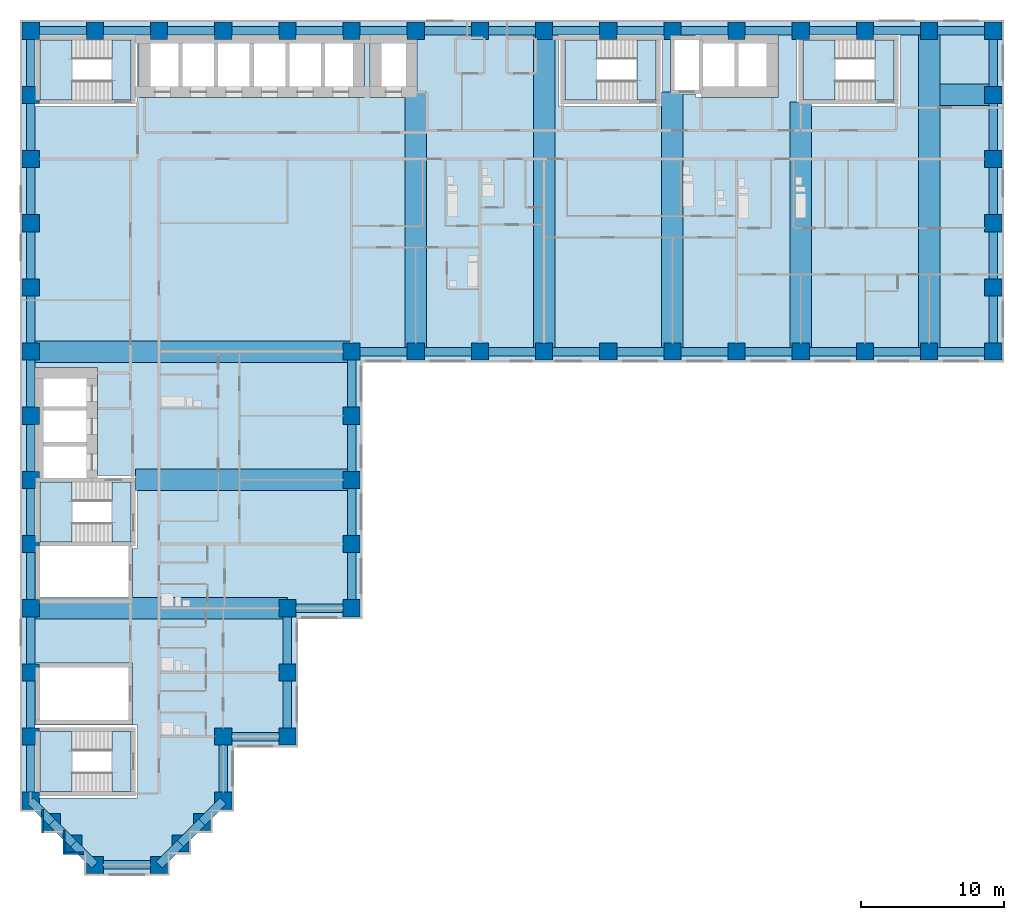
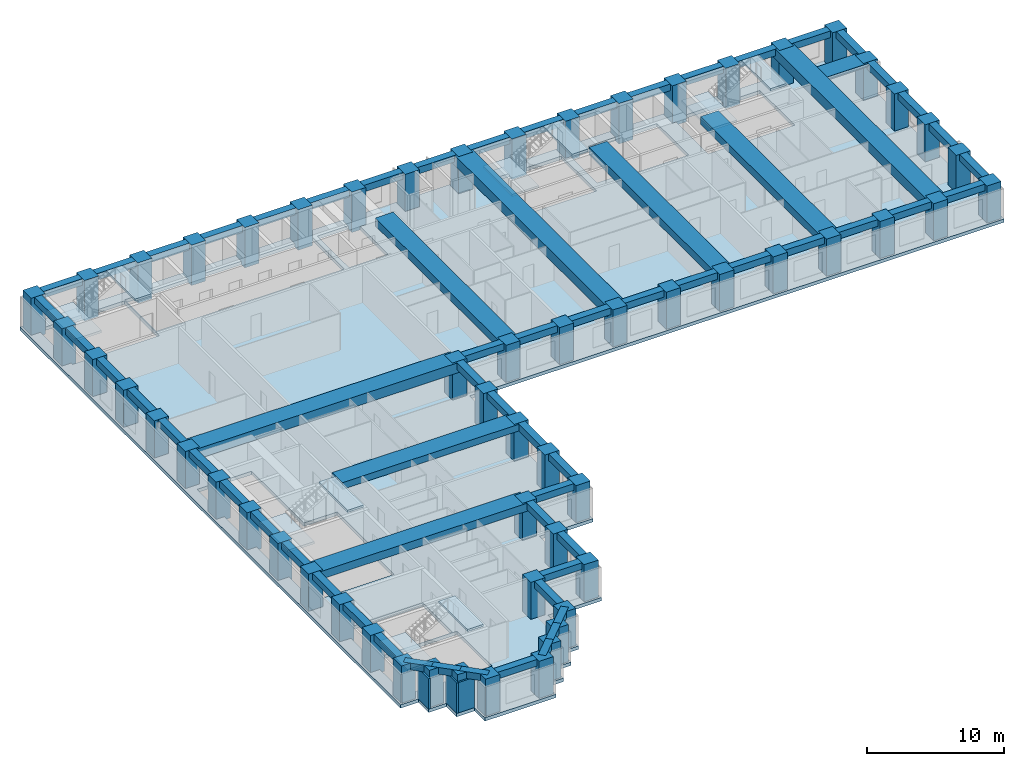
# One storey, part 1 of 11: 67 beams, 58 columns, 11 slabs, 3 walls, 5 elements without a shape of their own.
"""IFC4 building model written with IfcOpenShell, lengths in metres."""

from ifc_helpers import new_model, si_unit, direction, frame, frame_2d, origin, origin_2d, place, context, subcontext, project, spatial, polyline, rectangle, outline, extrude, material, layer, layer_set, material_profile, profile_set, type_object, element, aggregate, save


model = new_model("IFC4")

# Units and contexts
model_context = context("Model", 3, precision=1e-05, world=origin(), true_north=direction((0.0, 1.0)))
body_context = subcontext(model_context, "Body", "Model", "MODEL_VIEW")
ifc_project = project(units=[si_unit("LENGTHUNIT", "METRE"), si_unit("AREAUNIT", "SQUARE_METRE"), si_unit("VOLUMEUNIT", "CUBIC_METRE"), si_unit("PLANEANGLEUNIT", "RADIAN"), si_unit("MASSUNIT", "GRAM", prefix="KILO")], contexts=[model_context])

# Site, building, storey
site_placement = place(None, origin())
site = spatial("IfcSite", under=ifc_project, at=site_placement, CompositionType="ELEMENT")
building_placement = place(site_placement, origin())
building = spatial("IfcBuilding", under=site, at=building_placement, Name="Firuza Court", CompositionType="ELEMENT")
storey_placement = place(building_placement, frame((0.0, 0.0, 75.800048828125)))
storey = spatial("IfcBuildingStorey", under=building, at=storey_placement, Name="L18", CompositionType="ELEMENT", Elevation=75.800048828125)

# Columns
ifc_material_1 = material(Name="Concrete C70/85", Category="concrete")
ifc_material_profile_1 = material_profile(ifc_material_1, rectangle(XDim=1.199951171875, YDim=1.199951171875, at=origin_2d()), Name="RC 1200x1200")
ifc_profile_set_1 = profile_set([ifc_material_profile_1], Name="Concrete C70/85")
column_type = type_object("IfcColumnType", Name="Tube column RC 1200x1200 C70/85", PredefinedType="COLUMN", material=ifc_profile_set_1)
for number, where, z_axis, x_axis, name in (
    (1, (4.5, 0.0, -0.300048828125), (0.0, 0.0, 1.0), (1.0, 0.0, 0.0), "Column C-2D L18"),
    (2, (9.0, 0.0, -0.300048828125), (0.0, 0.0, 1.0), (1.0, 0.0, 0.0), "Column C-3D L18"),
    (3, (3.0, 1.5, -0.300048828125), (0.0, 0.0, 1.0), (1.0, 0.0, 0.0), "Column C-SA1 L18"),
    (4, (10.5, 1.5, -0.300048828125), (0.0, 0.0, 1.0), (1.0, 0.0, 0.0), "Column C-SA2 L18"),
    (5, (1.5, 3.0, -0.300048828125), (0.0, 0.0, 1.0), (1.0, 0.0, 0.0), "Column C-SA3 L18"),
    (6, (12.0, 3.0, -0.300048828125), (0.0, 0.0, 1.0), (1.0, 0.0, 0.0), "Column C-SA4 L18"),
    (7, (0.0, 4.5, -0.300048828125), (0.0, 0.0, 1.0), (1.0, 0.0, 0.0), "Column C-1E L18"),
    (8, (13.5, 4.5, -0.300048828125), (0.0, 0.0, 1.0), (1.0, 0.0, 0.0), "Column C-4E L18"),
    (9, (0.0, 9.0, -0.300048828125), (0.0, 0.0, 1.0), (1.0, 0.0, 0.0), "Column C-1F L18"),
    (10, (13.5, 9.0, -0.300048828125), (0.0, 0.0, 1.0), (1.0, 0.0, 0.0), "Column C-4F L18"),
    (11, (18.0, 9.0, -0.300048828125), (0.0, 0.0, 1.0), (1.0, 0.0, 0.0), "Column C-5F L18"),
    (12, (0.0, 13.5, -0.300048828125), (0.0, 0.0, 1.0), (1.0, 0.0, 0.0), "Column C-1G L18"),
    (13, (18.0, 13.5, -0.300048828125), (0.0, 0.0, 1.0), (1.0, 0.0, 0.0), "Column C-5G L18"),
    (14, (0.0, 18.0, -0.300048828125), (0.0, 0.0, 1.0), (1.0, 0.0, 0.0), "Column C-1H L18"),
    (15, (18.0, 18.0, -0.300048828125), (0.0, 0.0, 1.0), (1.0, 0.0, 0.0), "Column C-5H L18"),
    (16, (22.5, 18.0, -0.300048828125), (0.0, 0.0, 1.0), (1.0, 0.0, 0.0), "Column C-6H L18"),
    (17, (0.0, 22.5, -0.300048828125), (0.0, 0.0, 1.0), (1.0, 0.0, 0.0), "Column C-1J L18"),
    (18, (22.5, 22.5, -0.300048828125), (0.0, 0.0, 1.0), (1.0, 0.0, 0.0), "Column C-6J L18"),
    (19, (0.0, 27.0, -0.300048828125), (0.0, 0.0, 1.0), (1.0, 0.0, 0.0), "Column C-1K L18"),
    (20, (22.5, 27.0, -0.300048828125), (0.0, 0.0, 1.0), (1.0, 0.0, 0.0), "Column C-6K L18"),
    (21, (0.0, 31.5, -0.300048828125), (0.0, 0.0, 1.0), (1.0, 0.0, 0.0), "Column C-1L L18"),
    (22, (22.5, 31.5, -0.300048828125), (0.0, 0.0, 1.0), (1.0, 0.0, 0.0), "Column C-6L L18"),
    (23, (0.0, 36.0, -0.300048828125), (0.0, 0.0, 1.0), (1.0, 0.0, 0.0), "Column C-1M L18"),
    (24, (22.5, 36.0, -0.300048828125), (0.0, 0.0, 1.0), (1.0, 0.0, 0.0), "Column C-6M L18"),
    (25, (27.0, 36.0, -0.300048828125), (0.0, 0.0, 1.0), (1.0, 0.0, 0.0), "Column C-7M L18"),
    (26, (31.5, 36.0, -0.300048828125), (0.0, 0.0, 1.0), (1.0, 0.0, 0.0), "Column C-8M L18"),
    (27, (36.0, 36.0, -0.300048828125), (0.0, 0.0, 1.0), (1.0, 0.0, 0.0), "Column C-9M L18"),
    (28, (40.5, 36.0, -0.300048828125), (0.0, 0.0, 1.0), (1.0, 0.0, 0.0), "Column C-10M L18"),
    (29, (45.0, 36.0, -0.300048828125), (0.0, 0.0, 1.0), (1.0, 0.0, 0.0), "Column C-11M L18"),
    (30, (49.5, 36.0, -0.300048828125), (0.0, 0.0, 1.0), (1.0, 0.0, 0.0), "Column C-12M L18"),
    (31, (54.0, 36.0, -0.300048828125), (0.0, 0.0, 1.0), (1.0, 0.0, 0.0), "Column C-13M L18"),
    (32, (58.5, 36.0, -0.300048828125), (0.0, 0.0, 1.0), (1.0, 0.0, 0.0), "Column C-14M L18"),
    (33, (63.0, 36.0, -0.300048828125), (0.0, 0.0, 1.0), (1.0, 0.0, 0.0), "Column C-15M L18"),
    (34, (67.5, 36.0, -0.300048828125), (0.0, 0.0, 1.0), (1.0, 0.0, 0.0), "Column C-16M L18"),
    (35, (0.0, 40.5, -0.300048828125), (0.0, 0.0, 1.0), (1.0, 0.0, 0.0), "Column C-1N L18"),
    (36, (67.5, 40.5, -0.300048828125), (0.0, 0.0, 1.0), (1.0, 0.0, 0.0), "Column C-16N L18"),
    (37, (0.0, 45.0, -0.300048828125), (0.0, 0.0, 1.0), (1.0, 0.0, 0.0), "Column C-1P L18"),
    (38, (67.5, 45.0, -0.300048828125), (0.0, 0.0, 1.0), (1.0, 0.0, 0.0), "Column C-16P L18"),
    (39, (0.0, 49.5, -0.300048828125), (0.0, 0.0, 1.0), (1.0, 0.0, 0.0), "Column C-1Q L18"),
    (40, (67.5, 49.5, -0.300048828125), (0.0, 0.0, 1.0), (1.0, 0.0, 0.0), "Column C-16Q L18"),
    (41, (0.0, 54.0, -0.300048828125), (0.0, 0.0, 1.0), (1.0, 0.0, 0.0), "Column C-1R L18"),
    (42, (67.5, 54.0, -0.300048828125), (0.0, 0.0, 1.0), (1.0, 0.0, 0.0), "Column C-16R L18"),
    (43, (0.0, 58.5, -0.300048828125), (0.0, 0.0, 1.0), (1.0, 0.0, 0.0), "Column C-1S L18"),
    (44, (4.5, 58.5, -0.300048828125), (0.0, 0.0, 1.0), (1.0, 0.0, 0.0), "Column C-2S L18"),
    (45, (9.0, 58.5, -0.300048828125), (0.0, 0.0, 1.0), (1.0, 0.0, 0.0), "Column C-3S L18"),
    (46, (13.5, 58.5, -0.300048828125), (0.0, 0.0, 1.0), (1.0, 0.0, 0.0), "Column C-4S L18"),
    (47, (18.0, 58.5, -0.300048828125), (0.0, 0.0, 1.0), (1.0, 0.0, 0.0), "Column C-5S L18"),
    (48, (22.5, 58.5, -0.300048828125), (0.0, 0.0, 1.0), (1.0, 0.0, 0.0), "Column C-6S L18"),
    (49, (27.0, 58.5, -0.300048828125), (0.0, 0.0, 1.0), (1.0, 0.0, 0.0), "Column C-7S L18"),
    (50, (31.5, 58.5, -0.300048828125), (0.0, 0.0, 1.0), (1.0, 0.0, 0.0), "Column C-8S L18"),
    (51, (36.0, 58.5, -0.300048828125), (0.0, 0.0, 1.0), (1.0, 0.0, 0.0), "Column C-9S L18"),
    (52, (40.5, 58.5, -0.300048828125), (0.0, 0.0, 1.0), (1.0, 0.0, 0.0), "Column C-10S L18"),
    (53, (45.0, 58.5, -0.300048828125), (0.0, 0.0, 1.0), (1.0, 0.0, 0.0), "Column C-11S L18"),
    (54, (49.5, 58.5, -0.300048828125), (0.0, 0.0, 1.0), (1.0, 0.0, 0.0), "Column C-12S L18"),
    (55, (54.0, 58.5, -0.300048828125), (0.0, 0.0, 1.0), (1.0, 0.0, 0.0), "Column C-13S L18"),
    (56, (58.5, 58.5, -0.300048828125), (0.0, 0.0, 1.0), (1.0, 0.0, 0.0), "Column C-14S L18"),
    (57, (63.0, 58.5, -0.300048828125), (0.0, 0.0, 1.0), (1.0, 0.0, 0.0), "Column C-15S L18"),
    (58, (67.5, 58.5, -0.300048828125), (0.0, 0.0, 1.0), (1.0, 0.0, 0.0), "Column C-16S L18"),
):
    element("IfcColumn", number, at=place(storey_placement, frame(where, z_axis=z_axis, x_axis=x_axis)), inside=storey, type_object=column_type, Name=name, PredefinedType="COLUMN", context=body_context, shape_type="SweptSolid", body=[
        extrude(rectangle(XDim=1.199951171875, YDim=1.199951171875, at=origin_2d()), origin(), (0.0, 0.0, 1.0), 3.60009765625),
    ])

# Beams
ifc_material_2 = material(Name="Concrete C40/50", Category="concrete")
ifc_material_profile_2 = material_profile(ifc_material_2, rectangle(XDim=1.5, YDim=0.300048828125, at=origin_2d()), Name="RC 1500x300")
ifc_profile_set_2 = profile_set([ifc_material_profile_2], Name="Concrete C40/50")
beam_type_1 = type_object("IfcBeamType", Name="Band beam RC 1500x300 C40/50", PredefinedType="BEAM", material=ifc_profile_set_2)
beam_1_placement = place(storey_placement, frame((67.5, 54.0, 3.14990234375), z_axis=(-1.0, 0.0, 0.0), x_axis=(0.0, -1.0, 0.0)))
element("IfcBeam", 59, at=beam_1_placement, inside=storey, type_object=beam_type_1, Name="Band beam FB6 level L19", PredefinedType="BEAM", context=body_context, shape_type="SweptSolid", body=[
    extrude(rectangle(XDim=1.5, YDim=0.300048828125, at=origin_2d()), origin(), (0.0, 0.0, 1.0), 3.75),
])
ifc_material_3 = material(Name="Concrete C40/50", Category="concrete")
ifc_material_profile_3 = material_profile(ifc_material_3, rectangle(XDim=1.5, YDim=0.60009765625, at=origin_2d()), Name="RC 1500x600")
ifc_profile_set_3 = profile_set([ifc_material_profile_3], Name="Concrete C40/50")
beam_type_2 = type_object("IfcBeamType", Name="Band beam RC 1500x600 C40/50", PredefinedType="BEAM", material=ifc_profile_set_3)
beam_2_placement = place(storey_placement, frame((22.5, 27.0, 3.0), z_axis=(-1.0, 0.0, 0.0), x_axis=(0.0, -1.0, 0.0)))
element("IfcBeam", 60, at=beam_2_placement, inside=storey, type_object=beam_type_2, Name="Band beam FB3 level L19", PredefinedType="BEAM", context=body_context, shape_type="SweptSolid", body=[
    extrude(rectangle(XDim=1.5, YDim=0.60009765625, at=origin_2d()), origin(), (0.0, 0.0, 1.0), 15.14990234375),
])
ifc_material_4 = material(Name="Concrete C40/50", Category="concrete")
ifc_material_profile_4 = material_profile(ifc_material_4, rectangle(XDim=1.5, YDim=0.699951171875, at=origin_2d()), Name="RC 1500x700")
ifc_profile_set_4 = profile_set([ifc_material_profile_4], Name="Concrete C40/50")
beam_type_3 = type_object("IfcBeamType", Name="Band beam RC 1500x700 C40/50", PredefinedType="BEAM", material=ifc_profile_set_4)
beam_3_placement = place(storey_placement, frame((0.0, 18.0, 2.949951171875), z_axis=(1.0, 0.0, 0.0), x_axis=(0.0, 1.0, 0.0)))
element("IfcBeam", 61, at=beam_3_placement, inside=storey, type_object=beam_type_3, Name="Band beam FB1 level L19", PredefinedType="BEAM", context=body_context, shape_type="SweptSolid", body=[
    extrude(rectangle(XDim=1.5, YDim=0.699951171875, at=origin_2d()), origin(), (0.0, 0.0, 1.0), 18.0),
])
for number, where, z_axis, x_axis, name in (
    (62, (27.0, 36.0, 2.949951171875), (0.0, 1.0, 0.0), (-1.0, 0.0, 0.0), "Band beam FB1 level L19"),
    (63, (45.0, 36.0, 2.949951171875), (0.0, 1.0, 0.0), (-1.0, 0.0, 0.0), "Band beam FB1 level L19"),
):
    element("IfcBeam", number, at=place(storey_placement, frame(where, z_axis=z_axis, x_axis=x_axis)), inside=storey, type_object=beam_type_3, Name=name, PredefinedType="BEAM", context=body_context, shape_type="SweptSolid", body=[
        extrude(rectangle(XDim=1.5, YDim=0.699951171875, at=origin_2d()), origin(), (0.0, 0.0, 1.0), 18.199951171875),
    ])
beam_4_placement = place(storey_placement, frame((54.0, 36.0, 2.949951171875), z_axis=(0.0, 1.0, 0.0), x_axis=(-1.0, 0.0, 0.0)))
element("IfcBeam", 64, at=beam_4_placement, inside=storey, type_object=beam_type_3, Name="Band beam FB1 level L19", PredefinedType="BEAM", context=body_context, shape_type="SweptSolid", body=[
    extrude(rectangle(XDim=1.5, YDim=0.699951171875, at=origin_2d()), origin(), (0.0, 0.0, 1.0), 17.5),
])
ifc_material_5 = material(Name="Concrete C40/50", Category="concrete")
ifc_material_profile_5 = material_profile(ifc_material_5, rectangle(XDim=1.5, YDim=0.89990234375, at=origin_2d()), Name="RC 1500x900")
ifc_profile_set_5 = profile_set([ifc_material_profile_5], Name="Concrete C40/50")
beam_type_4 = type_object("IfcBeamType", Name="Band beam RC 1500x900 C40/50", PredefinedType="BEAM", material=ifc_profile_set_5)
for number, where, z_axis, x_axis, name in (
    (65, (0.0, 36.0, 2.849853515625), (1.0, 0.0, 0.0), (0.0, 1.0, 0.0), "Band beam FB2 level L19"),
    (66, (36.0, 36.0, 2.849853515625), (0.0, 1.0, 0.0), (-1.0, 0.0, 0.0), "Band beam FB2 level L19"),
    (67, (63.0, 36.0, 2.849853515625), (0.0, 1.0, 0.0), (-1.0, 0.0, 0.0), "Band beam FB2 level L19"),
):
    element("IfcBeam", number, at=place(storey_placement, frame(where, z_axis=z_axis, x_axis=x_axis)), inside=storey, type_object=beam_type_4, Name=name, PredefinedType="BEAM", context=body_context, shape_type="SweptSolid", body=[
        extrude(rectangle(XDim=1.5, YDim=0.89990234375, at=origin_2d()), origin(), (0.0, 0.0, 1.0), 22.5),
    ])
ifc_material_6 = material(Name="Concrete C40/50", Category="concrete")
ifc_material_profile_6 = material_profile(ifc_material_6, rectangle(XDim=0.60009765625, YDim=0.60009765625, at=origin_2d()), Name="RC 600x600")
ifc_profile_set_6 = profile_set([ifc_material_profile_6], Name="Concrete C40/50")
beam_type_5 = type_object("IfcBeamType", Name="Spandrel beam RC 600x600 C40/50", PredefinedType="BEAM", material=ifc_profile_set_6)
beam_5_placement = place(storey_placement, frame((0.0, 4.5, 3.0), z_axis=(0.707106781187, -0.707106781187, 0.0), x_axis=(0.707106781187, 0.707106781187, 0.0)))
element("IfcBeam", 68, at=beam_5_placement, inside=storey, type_object=beam_type_5, Name="Spandrel beam SP11 level L19", PredefinedType="BEAM", context=body_context, shape_type="SweptSolid", body=[
    extrude(rectangle(XDim=0.60009765625, YDim=0.60009765625, at=origin_2d()), origin(), (0.0, 0.0, 1.0), 2.121337890625),
])
for number, where, z_axis, x_axis, name in (
    (69, (0.0, 9.0, 3.0), (0.0, -1.0, 0.0), (1.0, 0.0, 0.0), "Spandrel beam SP11 level L19"),
    (70, (0.0, 13.5, 3.0), (0.0, -1.0, 0.0), (1.0, 0.0, 0.0), "Spandrel beam SP11 level L19"),
    (71, (0.0, 18.0, 3.0), (0.0, -1.0, 0.0), (1.0, 0.0, 0.0), "Spandrel beam SP11 level L19"),
    (72, (0.0, 22.5, 3.0), (0.0, -1.0, 0.0), (1.0, 0.0, 0.0), "Spandrel beam SP11 level L19"),
    (73, (0.0, 27.0, 3.0), (0.0, -1.0, 0.0), (1.0, 0.0, 0.0), "Spandrel beam SP11 level L19"),
    (74, (0.0, 31.5, 3.0), (0.0, -1.0, 0.0), (1.0, 0.0, 0.0), "Spandrel beam SP11 level L19"),
    (75, (0.0, 36.0, 3.0), (0.0, -1.0, 0.0), (1.0, 0.0, 0.0), "Spandrel beam SP11 level L19"),
    (76, (0.0, 40.5, 3.0), (0.0, -1.0, 0.0), (1.0, 0.0, 0.0), "Spandrel beam SP11 level L19"),
    (77, (0.0, 45.0, 3.0), (0.0, -1.0, 0.0), (1.0, 0.0, 0.0), "Spandrel beam SP11 level L19"),
    (78, (0.0, 49.5, 3.0), (0.0, -1.0, 0.0), (1.0, 0.0, 0.0), "Spandrel beam SP11 level L19"),
    (79, (0.0, 54.0, 3.0), (0.0, -1.0, 0.0), (1.0, 0.0, 0.0), "Spandrel beam SP11 level L19"),
    (80, (0.0, 58.5, 3.0), (0.0, -1.0, 0.0), (1.0, 0.0, 0.0), "Spandrel beam SP11 level L19"),
):
    element("IfcBeam", number, at=place(storey_placement, frame(where, z_axis=z_axis, x_axis=x_axis)), inside=storey, type_object=beam_type_5, Name=name, PredefinedType="BEAM", context=body_context, shape_type="SweptSolid", body=[
        extrude(rectangle(XDim=0.60009765625, YDim=0.60009765625, at=origin_2d()), origin(), (0.0, 0.0, 1.0), 4.5),
    ])
for number, where, z_axis, x_axis, name in (
    (81, (1.5, 3.0, 3.0), (0.707106781187, -0.707106781187, 0.0), (0.707106781187, 0.707106781187, 0.0), "Spandrel beam SP11 level L19"),
    (82, (3.0, 1.5, 3.0), (0.707106781187, -0.707106781187, 0.0), (0.707106781187, 0.707106781187, 0.0), "Spandrel beam SP11 level L19"),
):
    element("IfcBeam", number, at=place(storey_placement, frame(where, z_axis=z_axis, x_axis=x_axis)), inside=storey, type_object=beam_type_5, Name=name, PredefinedType="BEAM", context=body_context, shape_type="SweptSolid", body=[
        extrude(rectangle(XDim=0.60009765625, YDim=0.60009765625, at=origin_2d()), origin(), (0.0, 0.0, 1.0), 2.121337890625),
    ])
for number, where, z_axis, x_axis, name in (
    (83, (4.5, 0.0, 3.0), (1.0, 0.0, 0.0), (0.0, 1.0, 0.0), "Spandrel beam SP11 level L19"),
    (84, (4.5, 58.5, 3.0), (-1.0, 0.0, 0.0), (0.0, -1.0, 0.0), "Spandrel beam SP11 level L19"),
):
    element("IfcBeam", number, at=place(storey_placement, frame(where, z_axis=z_axis, x_axis=x_axis)), inside=storey, type_object=beam_type_5, Name=name, PredefinedType="BEAM", context=body_context, shape_type="SweptSolid", body=[
        extrude(rectangle(XDim=0.60009765625, YDim=0.60009765625, at=origin_2d()), origin(), (0.0, 0.0, 1.0), 4.5),
    ])
beam_6_placement = place(storey_placement, frame((9.0, 0.0, 3.0), z_axis=(0.707106781187, 0.707106781187, 0.0), x_axis=(-0.707106781187, 0.707106781187, 0.0)))
element("IfcBeam", 85, at=beam_6_placement, inside=storey, type_object=beam_type_5, Name="Spandrel beam SP11 level L19", PredefinedType="BEAM", context=body_context, shape_type="SweptSolid", body=[
    extrude(rectangle(XDim=0.60009765625, YDim=0.60009765625, at=origin_2d()), origin(), (0.0, 0.0, 1.0), 2.121337890625),
])
beam_7_placement = place(storey_placement, frame((9.0, 58.5, 3.0), z_axis=(-1.0, 0.0, 0.0), x_axis=(0.0, -1.0, 0.0)))
element("IfcBeam", 86, at=beam_7_placement, inside=storey, type_object=beam_type_5, Name="Spandrel beam SP11 level L19", PredefinedType="BEAM", context=body_context, shape_type="SweptSolid", body=[
    extrude(rectangle(XDim=0.60009765625, YDim=0.60009765625, at=origin_2d()), origin(), (0.0, 0.0, 1.0), 4.5),
])
for number, where, z_axis, x_axis, name in (
    (87, (10.5, 1.5, 3.0), (0.707106781187, 0.707106781187, 0.0), (-0.707106781187, 0.707106781187, 0.0), "Spandrel beam SP11 level L19"),
    (88, (12.0, 3.0, 3.0), (0.707106781187, 0.707106781187, 0.0), (-0.707106781187, 0.707106781187, 0.0), "Spandrel beam SP11 level L19"),
):
    element("IfcBeam", number, at=place(storey_placement, frame(where, z_axis=z_axis, x_axis=x_axis)), inside=storey, type_object=beam_type_5, Name=name, PredefinedType="BEAM", context=body_context, shape_type="SweptSolid", body=[
        extrude(rectangle(XDim=0.60009765625, YDim=0.60009765625, at=origin_2d()), origin(), (0.0, 0.0, 1.0), 2.121337890625),
    ])
for number, where, z_axis, x_axis, name in (
    (89, (13.5, 4.5, 3.0), (0.0, 1.0, 0.0), (-1.0, 0.0, 0.0), "Spandrel beam SP11 level L19"),
    (90, (13.5, 9.0, 3.0), (1.0, 0.0, 0.0), (0.0, 1.0, 0.0), "Spandrel beam SP11 level L19"),
    (91, (13.5, 58.5, 3.0), (-1.0, 0.0, 0.0), (0.0, -1.0, 0.0), "Spandrel beam SP11 level L19"),
    (92, (18.0, 9.0, 3.0), (0.0, 1.0, 0.0), (-1.0, 0.0, 0.0), "Spandrel beam SP11 level L19"),
    (93, (18.0, 13.5, 3.0), (0.0, 1.0, 0.0), (-1.0, 0.0, 0.0), "Spandrel beam SP11 level L19"),
    (94, (18.0, 18.0, 3.0), (1.0, 0.0, 0.0), (0.0, 1.0, 0.0), "Spandrel beam SP11 level L19"),
    (95, (18.0, 58.5, 3.0), (-1.0, 0.0, 0.0), (0.0, -1.0, 0.0), "Spandrel beam SP11 level L19"),
    (96, (22.5, 18.0, 3.0), (0.0, 1.0, 0.0), (-1.0, 0.0, 0.0), "Spandrel beam SP11 level L19"),
    (97, (22.5, 22.5, 3.0), (0.0, 1.0, 0.0), (-1.0, 0.0, 0.0), "Spandrel beam SP11 level L19"),
    (98, (22.5, 27.0, 3.0), (0.0, 1.0, 0.0), (-1.0, 0.0, 0.0), "Spandrel beam SP11 level L19"),
    (99, (22.5, 31.5, 3.0), (0.0, 1.0, 0.0), (-1.0, 0.0, 0.0), "Spandrel beam SP11 level L19"),
    (100, (22.5, 36.0, 3.0), (1.0, 0.0, 0.0), (0.0, 1.0, 0.0), "Spandrel beam SP11 level L19"),
    (101, (22.5, 58.5, 3.0), (-1.0, 0.0, 0.0), (0.0, -1.0, 0.0), "Spandrel beam SP11 level L19"),
    (102, (27.0, 36.0, 3.0), (1.0, 0.0, 0.0), (0.0, 1.0, 0.0), "Spandrel beam SP11 level L19"),
    (103, (27.0, 58.5, 3.0), (-1.0, 0.0, 0.0), (0.0, -1.0, 0.0), "Spandrel beam SP11 level L19"),
    (104, (31.5, 36.0, 3.0), (1.0, 0.0, 0.0), (0.0, 1.0, 0.0), "Spandrel beam SP11 level L19"),
    (105, (31.5, 58.5, 3.0), (-1.0, 0.0, 0.0), (0.0, -1.0, 0.0), "Spandrel beam SP11 level L19"),
    (106, (36.0, 36.0, 3.0), (1.0, 0.0, 0.0), (0.0, 1.0, 0.0), "Spandrel beam SP11 level L19"),
    (107, (36.0, 58.5, 3.0), (-1.0, 0.0, 0.0), (0.0, -1.0, 0.0), "Spandrel beam SP11 level L19"),
    (108, (40.5, 36.0, 3.0), (1.0, 0.0, 0.0), (0.0, 1.0, 0.0), "Spandrel beam SP11 level L19"),
    (109, (40.5, 58.5, 3.0), (-1.0, 0.0, 0.0), (0.0, -1.0, 0.0), "Spandrel beam SP11 level L19"),
    (110, (45.0, 36.0, 3.0), (1.0, 0.0, 0.0), (0.0, 1.0, 0.0), "Spandrel beam SP11 level L19"),
    (111, (45.0, 58.5, 3.0), (-1.0, 0.0, 0.0), (0.0, -1.0, 0.0), "Spandrel beam SP11 level L19"),
    (112, (49.5, 36.0, 3.0), (1.0, 0.0, 0.0), (0.0, 1.0, 0.0), "Spandrel beam SP11 level L19"),
    (113, (49.5, 58.5, 3.0), (-1.0, 0.0, 0.0), (0.0, -1.0, 0.0), "Spandrel beam SP11 level L19"),
    (114, (54.0, 36.0, 3.0), (1.0, 0.0, 0.0), (0.0, 1.0, 0.0), "Spandrel beam SP11 level L19"),
    (115, (54.0, 58.5, 3.0), (-1.0, 0.0, 0.0), (0.0, -1.0, 0.0), "Spandrel beam SP11 level L19"),
    (116, (58.5, 36.0, 3.0), (1.0, 0.0, 0.0), (0.0, 1.0, 0.0), "Spandrel beam SP11 level L19"),
    (117, (58.5, 58.5, 3.0), (-1.0, 0.0, 0.0), (0.0, -1.0, 0.0), "Spandrel beam SP11 level L19"),
    (118, (63.0, 36.0, 3.0), (1.0, 0.0, 0.0), (0.0, 1.0, 0.0), "Spandrel beam SP11 level L19"),
    (119, (63.0, 58.5, 3.0), (-1.0, 0.0, 0.0), (0.0, -1.0, 0.0), "Spandrel beam SP11 level L19"),
    (120, (67.5, 36.0, 3.0), (0.0, 1.0, 0.0), (-1.0, 0.0, 0.0), "Spandrel beam SP11 level L19"),
    (121, (67.5, 40.5, 3.0), (0.0, 1.0, 0.0), (-1.0, 0.0, 0.0), "Spandrel beam SP11 level L19"),
    (122, (67.5, 45.0, 3.0), (0.0, 1.0, 0.0), (-1.0, 0.0, 0.0), "Spandrel beam SP11 level L19"),
    (123, (67.5, 49.5, 3.0), (0.0, 1.0, 0.0), (-1.0, 0.0, 0.0), "Spandrel beam SP11 level L19"),
    (124, (67.5, 54.0, 3.0), (0.0, 1.0, 0.0), (-1.0, 0.0, 0.0), "Spandrel beam SP11 level L19"),
    (125, (67.5, 58.5, 3.0), (-1.0, 0.0, 0.0), (0.0, -1.0, 0.0), "Spandrel beam SP11 level L19"),
):
    element("IfcBeam", number, at=place(storey_placement, frame(where, z_axis=z_axis, x_axis=x_axis)), inside=storey, type_object=beam_type_5, Name=name, PredefinedType="BEAM", context=body_context, shape_type="SweptSolid", body=[
        extrude(rectangle(XDim=0.60009765625, YDim=0.60009765625, at=origin_2d()), origin(), (0.0, 0.0, 1.0), 4.5),
    ])

# Slab
ifc_material_7 = material(Name="Concrete C40/50", Category="concrete")
ifc_layer_1 = layer(ifc_material_7, 0.300048828125)
ifc_layer_set_1 = layer_set([ifc_layer_1], Name="Concrete C40/50")
slab_type_1 = type_object("IfcSlabType", Name="Floor slab 300 C40/50", PredefinedType="FLOOR", material=ifc_layer_set_1)
slab_1_placement = place(storey_placement, frame((0.0, 0.0, -0.300048828125)))
element("IfcSlab", 126, at=slab_1_placement, inside=storey, type_object=slab_type_1, Name="Floor slab L18", PredefinedType="FLOOR", context=body_context, shape_type="SweptSolid", body=[
    extrude(outline(polyline([(3.75, -0.75), (3.75, 0.75), (2.25, 0.75), (2.25, 2.25), (0.75, 2.25), (0.75, 3.75), (-0.75, 3.75), (-0.75, 59.25), (68.25, 59.25), (68.25, 35.25), (23.25, 35.25), (23.25, 17.25), (18.75, 17.25), (18.75, 8.25), (14.25, 8.25), (14.25, 3.75), (12.75, 3.75), (12.75, 2.25), (11.25, 2.25), (11.25, 0.75), (9.75, 0.75), (9.75, -0.75), (3.75, -0.75)]), holes=[polyline([(7.5, 9.800048828125), (0.199951171875, 9.800048828125), (0.199951171875, 4.699951171875), (7.5, 4.699951171875), (7.5, 9.800048828125)]), polyline([(7.14990234375, 14.14990234375), (0.35009765625, 14.14990234375), (0.35009765625, 9.85009765625), (7.14990234375, 9.85009765625), (7.14990234375, 14.14990234375)]), polyline([(0.199951171875, 22.199951171875), (0.35009765625, 22.199951171875), (0.35009765625, 18.35009765625), (7.14990234375, 18.35009765625), (7.14990234375, 22.199951171875), (7.5, 22.199951171875), (7.5, 27.300048828125), (4.699951171875, 27.300048828125), (4.699951171875, 29.10009765625), (4.699951171875, 29.89990234375), (4.699951171875, 31.60009765625), (4.699951171875, 32.39990234375), (4.699951171875, 34.89990234375), (0.10009765625, 34.89990234375), (0.10009765625, 32.39990234375), (0.10009765625, 31.60009765625), (0.10009765625, 29.89990234375), (0.10009765625, 29.10009765625), (0.10009765625, 26.60009765625), (0.199951171875, 26.60009765625), (0.199951171875, 22.199951171875)]), polyline([(7.5, 58.300048828125), (0.199951171875, 58.300048828125), (0.199951171875, 53.199951171875), (7.5, 53.199951171875), (7.5, 58.300048828125)]), polyline([(10.10009765625, 58.39990234375), (7.60009765625, 58.39990234375), (7.60009765625, 53.800048828125), (10.10009765625, 53.800048828125), (10.89990234375, 53.800048828125), (12.60009765625, 53.800048828125), (13.39990234375, 53.800048828125), (15.10009765625, 53.800048828125), (15.89990234375, 53.800048828125), (17.60009765625, 53.800048828125), (18.39990234375, 53.800048828125), (20.10009765625, 53.800048828125), (20.89990234375, 53.800048828125), (23.39990234375, 53.800048828125), (23.39990234375, 58.39990234375), (20.89990234375, 58.39990234375), (20.10009765625, 58.39990234375), (18.39990234375, 58.39990234375), (17.60009765625, 58.39990234375), (15.89990234375, 58.39990234375), (15.10009765625, 58.39990234375), (13.39990234375, 58.39990234375), (12.60009765625, 58.39990234375), (10.89990234375, 58.39990234375), (10.10009765625, 58.39990234375)]), polyline([(44.300048828125, 58.300048828125), (37.0, 58.300048828125), (37.0, 53.199951171875), (44.300048828125, 53.199951171875), (44.300048828125, 58.300048828125)]), polyline([(61.0, 58.300048828125), (53.699951171875, 58.300048828125), (53.699951171875, 53.199951171875), (61.0, 53.199951171875), (61.0, 58.300048828125)]), polyline([(27.10009765625, 58.39990234375), (23.800048828125, 58.39990234375), (23.800048828125, 53.800048828125), (27.10009765625, 53.800048828125), (27.10009765625, 58.39990234375)]), polyline([(46.60009765625, 58.14990234375), (44.85009765625, 58.14990234375), (44.85009765625, 54.050048828125), (46.60009765625, 54.050048828125), (46.60009765625, 53.800048828125), (49.10009765625, 53.800048828125), (49.89990234375, 53.800048828125), (52.39990234375, 53.800048828125), (52.39990234375, 58.39990234375), (49.89990234375, 58.39990234375), (49.10009765625, 58.39990234375), (46.60009765625, 58.39990234375), (46.60009765625, 58.14990234375)])]), origin(), (0.0, 0.0, 1.0), 0.300048828125),
])

# Stair, slabs
ifc_material_8 = material(Name="Concrete C40/50 precast", Category="concrete")
stair_type = type_object("IfcStairType", Name="Stair 1350 x 3600 2 flights", PredefinedType="HALF_TURN_STAIR", material=ifc_material_8)
stair_1_placement = place(storey_placement, origin())
stair_1 = element("IfcStair", 127, at=stair_1_placement, inside=storey, type_object=stair_type, Name="Stair 1 L18", PredefinedType="HALF_TURN_STAIR")
ifc_material_9 = material(Name="Concrete C40/50 precast", Category="concrete")
ifc_layer_2 = layer(ifc_material_9, 0.199951171875)
ifc_layer_set_2 = layer_set([ifc_layer_2], Name="Concrete C40/50 precast")
slab_type_2 = type_object("IfcSlabType", Name="Stair landing 200", PredefinedType="LANDING", material=ifc_layer_set_2)
slab_2_placement = place(storey_placement, frame((0.0, 0.0, 1.599853515625)))
slab_2 = element("IfcSlab", 128, at=slab_2_placement, type_object=slab_type_2, Name="S1 landing 1", PredefinedType="LANDING", context=body_context, shape_type="SweptSolid", body=[
    extrude(outline(polyline([(39.699951171875, 53.64990234375), (39.699951171875, 57.85009765625), (37.449951171875, 57.85009765625), (37.449951171875, 53.64990234375), (39.699951171875, 53.64990234375)])), origin(), (0.0, 0.0, 1.0), 0.2001953125),
])
slab_3_placement = place(storey_placement, frame((0.0, 0.0, 3.39990234375)))
slab_3 = element("IfcSlab", 129, at=slab_3_placement, type_object=slab_type_2, Name="S1 landing 2", PredefinedType="LANDING", context=body_context, shape_type="SweptSolid", body=[
    extrude(outline(polyline([(43.85009765625, 53.64990234375), (43.85009765625, 57.85009765625), (42.5, 57.85009765625), (42.5, 53.64990234375), (43.85009765625, 53.64990234375)])), origin(), (0.0, 0.0, 1.0), 0.199951171875),
])
aggregate(stair_1, [slab_2, slab_3])

stair_2_placement = place(storey_placement, origin())
stair_2 = element("IfcStair", 130, at=stair_2_placement, inside=storey, type_object=stair_type, Name="Stair 2 L18", PredefinedType="HALF_TURN_STAIR")
slab_4_placement = place(storey_placement, frame((0.0, 0.0, 1.599853515625)))
slab_4 = element("IfcSlab", 131, at=slab_4_placement, type_object=slab_type_2, Name="S2 landing 1", PredefinedType="LANDING", context=body_context, shape_type="SweptSolid", body=[
    extrude(outline(polyline([(2.89990234375, 22.64990234375), (2.89990234375, 26.85009765625), (0.64990234375, 26.85009765625), (0.64990234375, 22.64990234375), (2.89990234375, 22.64990234375)])), origin(), (0.0, 0.0, 1.0), 0.2001953125),
])
slab_5_placement = place(storey_placement, frame((0.0, 0.0, 3.39990234375)))
slab_5 = element("IfcSlab", 132, at=slab_5_placement, type_object=slab_type_2, Name="S2 landing 2", PredefinedType="LANDING", context=body_context, shape_type="SweptSolid", body=[
    extrude(outline(polyline([(7.050048828125, 22.64990234375), (7.050048828125, 26.85009765625), (5.699951171875, 26.85009765625), (5.699951171875, 22.64990234375), (7.050048828125, 22.64990234375)])), origin(), (0.0, 0.0, 1.0), 0.199951171875),
])
aggregate(stair_2, [slab_4, slab_5])

stair_3_placement = place(storey_placement, origin())
stair_3 = element("IfcStair", 133, at=stair_3_placement, inside=storey, type_object=stair_type, Name="Stair 3 L18", PredefinedType="HALF_TURN_STAIR")
slab_6_placement = place(storey_placement, frame((0.0, 0.0, 1.599853515625)))
slab_6 = element("IfcSlab", 134, at=slab_6_placement, type_object=slab_type_2, Name="S3 landing 1", PredefinedType="LANDING", context=body_context, shape_type="SweptSolid", body=[
    extrude(outline(polyline([(2.89990234375, 53.64990234375), (2.89990234375, 57.85009765625), (0.64990234375, 57.85009765625), (0.64990234375, 53.64990234375), (2.89990234375, 53.64990234375)])), origin(), (0.0, 0.0, 1.0), 0.2001953125),
])
slab_7_placement = place(storey_placement, frame((0.0, 0.0, 3.39990234375)))
slab_7 = element("IfcSlab", 135, at=slab_7_placement, type_object=slab_type_2, Name="S3 landing 2", PredefinedType="LANDING", context=body_context, shape_type="SweptSolid", body=[
    extrude(outline(polyline([(7.050048828125, 53.64990234375), (7.050048828125, 57.85009765625), (5.699951171875, 57.85009765625), (5.699951171875, 53.64990234375), (7.050048828125, 53.64990234375)])), origin(), (0.0, 0.0, 1.0), 0.199951171875),
])
aggregate(stair_3, [slab_6, slab_7])

stair_4_placement = place(storey_placement, origin())
stair_4 = element("IfcStair", 136, at=stair_4_placement, inside=storey, type_object=stair_type, Name="Stair 4 L18", PredefinedType="HALF_TURN_STAIR")
slab_8_placement = place(storey_placement, frame((0.0, 0.0, 1.599853515625)))
slab_8 = element("IfcSlab", 137, at=slab_8_placement, type_object=slab_type_2, Name="S4 landing 1", PredefinedType="LANDING", context=body_context, shape_type="SweptSolid", body=[
    extrude(outline(polyline([(56.39990234375, 53.64990234375), (56.39990234375, 57.85009765625), (54.14990234375, 57.85009765625), (54.14990234375, 53.64990234375), (56.39990234375, 53.64990234375)])), origin(), (0.0, 0.0, 1.0), 0.2001953125),
])
slab_9_placement = place(storey_placement, frame((0.0, 0.0, 3.39990234375)))
slab_9 = element("IfcSlab", 138, at=slab_9_placement, type_object=slab_type_2, Name="S4 landing 2", PredefinedType="LANDING", context=body_context, shape_type="SweptSolid", body=[
    extrude(outline(polyline([(60.550048828125, 53.64990234375), (60.550048828125, 57.85009765625), (59.199951171875, 57.85009765625), (59.199951171875, 53.64990234375), (60.550048828125, 53.64990234375)])), origin(), (0.0, 0.0, 1.0), 0.199951171875),
])
aggregate(stair_4, [slab_8, slab_9])

stair_5_placement = place(storey_placement, origin())
stair_5 = element("IfcStair", 139, at=stair_5_placement, inside=storey, type_object=stair_type, Name="Stair 5 L18", PredefinedType="HALF_TURN_STAIR")
slab_10_placement = place(storey_placement, frame((0.0, 0.0, 1.599853515625)))
slab_10 = element("IfcSlab", 140, at=slab_10_placement, type_object=slab_type_2, Name="S5 landing 1", PredefinedType="LANDING", context=body_context, shape_type="SweptSolid", body=[
    extrude(outline(polyline([(2.89990234375, 5.14990234375), (2.89990234375, 9.35009765625), (0.64990234375, 9.35009765625), (0.64990234375, 5.14990234375), (2.89990234375, 5.14990234375)])), origin(), (0.0, 0.0, 1.0), 0.2001953125),
])
slab_11_placement = place(storey_placement, frame((0.0, 0.0, 3.39990234375)))
slab_11 = element("IfcSlab", 141, at=slab_11_placement, type_object=slab_type_2, Name="S5 landing 2", PredefinedType="LANDING", context=body_context, shape_type="SweptSolid", body=[
    extrude(outline(polyline([(7.050048828125, 5.14990234375), (7.050048828125, 9.35009765625), (5.699951171875, 9.35009765625), (5.699951171875, 5.14990234375), (7.050048828125, 5.14990234375)])), origin(), (0.0, 0.0, 1.0), 0.199951171875),
])
aggregate(stair_5, [slab_10, slab_11])

# Walls
ifc_material_10 = material(Name="Ceramic tile", Category="ceramic")
ifc_layer_3 = layer(ifc_material_10, 0.02001953125)
ifc_material_11 = material(Name="Mineral wool insulation", Category="insulation")
ifc_layer_4 = layer(ifc_material_11, 0.050048828125)
ifc_layer_5 = layer(ifc_material_9, 0.080078125)
ifc_layer_set_3 = layer_set([ifc_layer_3, ifc_layer_4, ifc_layer_5], Name="Concrete C40/50 precast")
wall_type = type_object("IfcWallType", Name="Precast cladding wall with turquoise TILE PANEL face 150", PredefinedType="STANDARD", material=ifc_layer_set_3)
for number, where, z_axis, x_axis, name in (
    (142, (0.824951171875, 3.89990234375, 0.0), (0.0, 0.0, 1.0), (0.0, -1.0, 0.0), "Facade wall L18 W"),
    (143, (2.324951171875, 2.39990234375, 0.0), (0.0, 0.0, 1.0), (0.0, -1.0, 0.0), "Facade wall L18 W"),
):
    element("IfcWall", number, at=place(storey_placement, frame(where, z_axis=z_axis, x_axis=x_axis)), inside=storey, type_object=wall_type, Name=name, PredefinedType="STANDARD", context=body_context, shape_type="SweptSolid", body=[
        extrude(rectangle(XDim=1.64990234375, YDim=0.14990234375, at=frame_2d((0.824951171875, 0.0))), origin(), (0.0, 0.0, 1.0), 2.699951171875),
    ])
wall_placement = place(storey_placement, frame((2.39990234375, 0.824951171875, 0.0), z_axis=(0.0, 0.0, 1.0), x_axis=(1.0, 0.0, 0.0)))
element("IfcWall", 144, at=wall_placement, inside=storey, type_object=wall_type, Name="Facade wall L18 S", PredefinedType="STANDARD", context=body_context, shape_type="SweptSolid", body=[
    extrude(rectangle(XDim=1.35009765625, YDim=0.14990234375, at=frame_2d((0.675048828125, 0.0))), origin(), (0.0, 0.0, 1.0), 2.699951171875),
])

save(model, "model.ifc")
